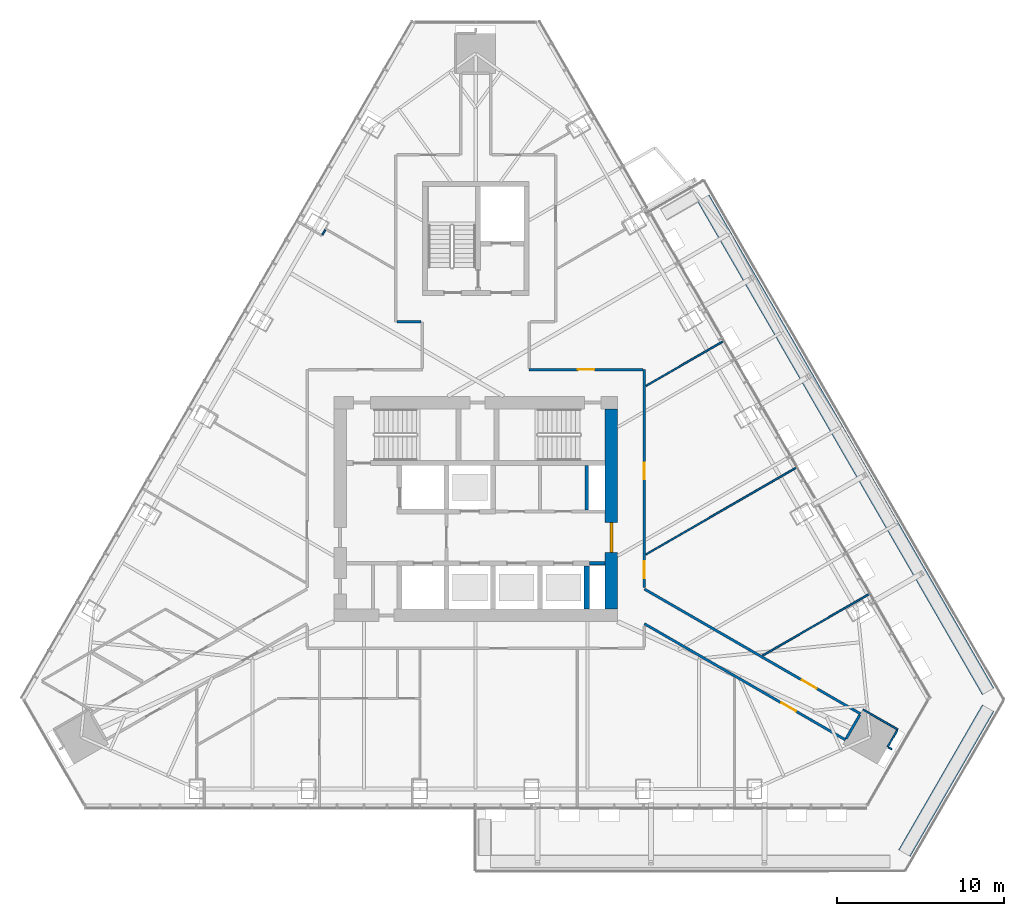
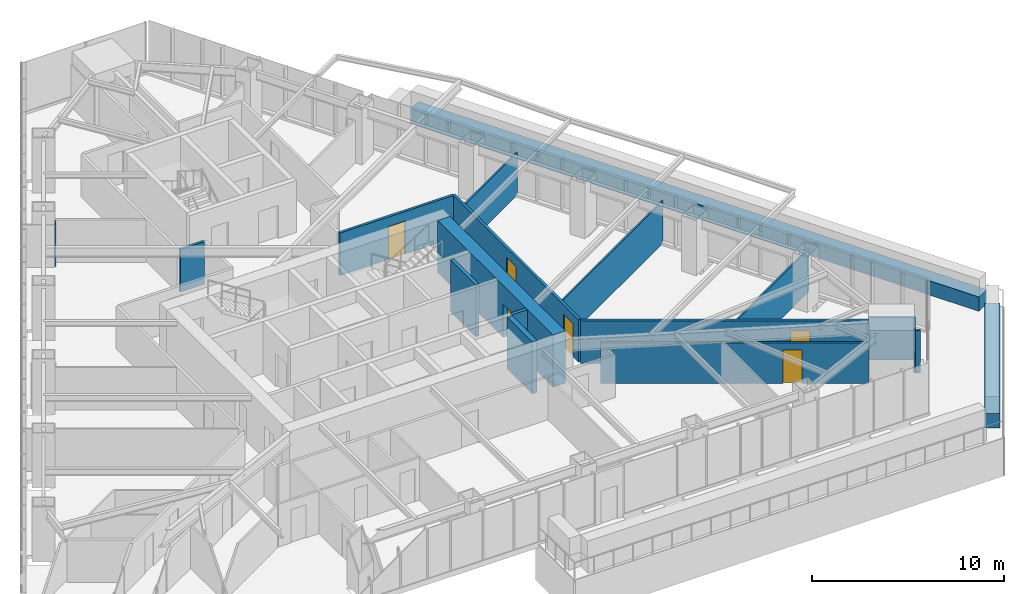
# One storey, part 12 of 17: 19 walls, 6 doors, 6 openings.
"""IFC4 building model written with IfcOpenShell, lengths in metres."""

import ifcopenshell
import ifcopenshell.guid

model = None  # the IFC model being written
_history = None  # IfcOwnerHistory: only IFC2X3 demands one
_inside = {}  # id of a spatial element -> (the spatial element, [elements in it])
_under = {}  # id of a project, library or spatial element -> (it, [spatial elements below it])
_declared = {}  # id of a project -> (the project, [libraries it declares])
_typed = {}  # id of a type object -> (the type object, [elements of that type])
_made_of = {}  # id of a material, layer set ... -> (it, [elements and type objects made of it])


def new_model(schema):
    """Start an empty IFC model of exactly this schema.

    Asked for "IFC4X3", IfcOpenShell would pick the latest addendum, in which some entities
    have other attributes; the version numbers below select the first issue.
    IFC2X3 requires an IfcOwnerHistory on every rooted entity: one is made here for all.
    """
    global model, _history
    if schema == "IFC4X3":
        model = ifcopenshell.file(schema_version=(4, 3, 0, 0))
    else:
        model = ifcopenshell.file(schema=schema)
    _inside.clear()
    _under.clear()
    _declared.clear()
    _typed.clear()
    _made_of.clear()
    _history = None
    if model.schema == "IFC2X3":
        org = make("IfcOrganization", Name="unknown")
        user = make(
            "IfcPersonAndOrganization",
            ThePerson=make("IfcPerson", FamilyName="unknown"),
            TheOrganization=org,
        )
        app = make(
            "IfcApplication",
            ApplicationDeveloper=org,
            Version="unknown",
            ApplicationFullName="unknown",
            ApplicationIdentifier="unknown",
        )
        _history = make(
            "IfcOwnerHistory",
            OwningUser=user,
            OwningApplication=app,
            ChangeAction="ADDED",
            CreationDate=0,
        )
    return model


def make(cls, **values):
    """One entity of the class cls with the attributes given. An attribute that is None is left unset."""
    return model.create_entity(
        cls, **{name: value for name, value in values.items() if value is not None}
    )


def rooted(cls, **values):
    """An entity with a GlobalId (a new one), such as an element, a storey or a relation."""
    return make(cls, GlobalId=ifcopenshell.guid.new(), OwnerHistory=_history, **values)


def si_unit(unit_type, name, prefix=None):
    """IfcSIUnit, for example si_unit("LENGTHUNIT", "METRE", prefix="MILLI")."""
    return make("IfcSIUnit", UnitType=unit_type, Prefix=prefix, Name=name)


def assignment(units):
    """IfcUnitAssignment: the units of a project."""
    return None if units is None else make("IfcUnitAssignment", Units=units)


def point(xyz):
    """IfcCartesianPoint."""
    return None if xyz is None else make("IfcCartesianPoint", Coordinates=xyz)


def direction(xyz):
    """IfcDirection."""
    return None if xyz is None else make("IfcDirection", DirectionRatios=xyz)


def frame(location, z_axis=None, x_axis=None):
    """IfcAxis2Placement3D, a coordinate frame: its origin and axes. An axis left out is left unset."""
    return make(
        "IfcAxis2Placement3D",
        Location=point(location),
        Axis=direction(z_axis),
        RefDirection=direction(x_axis),
    )


def frame_2d(location, x_axis=None):
    """IfcAxis2Placement2D, a coordinate frame in the plane: its origin and x axis."""
    return make(
        "IfcAxis2Placement2D", Location=point(location), RefDirection=direction(x_axis)
    )


def origin():
    """The frame at (0, 0, 0) with its axes left unset."""
    return frame((0.0, 0.0, 0.0))


def place(relative_to, where):
    """IfcLocalPlacement: puts the frame where relative to a parent placement (None: the world)."""
    return make(
        "IfcLocalPlacement", PlacementRelTo=relative_to, RelativePlacement=where
    )


def context(
    kind, dimensions, precision=None, world=None, true_north=None, identifier=None
):
    """IfcGeometricRepresentationContext, for example the 3D "Model" context."""
    return make(
        "IfcGeometricRepresentationContext",
        ContextIdentifier=identifier,
        ContextType=kind,
        CoordinateSpaceDimension=dimensions,
        Precision=precision,
        WorldCoordinateSystem=world,
        TrueNorth=true_north,
    )


def subcontext(parent, identifier, kind, view, scale=None):
    """IfcGeometricRepresentationSubContext, for example "Body" below "Model"."""
    return make(
        "IfcGeometricRepresentationSubContext",
        ContextIdentifier=identifier,
        ContextType=kind,
        ParentContext=parent,
        TargetScale=scale,
        TargetView=view,
    )


def project(units=None, contexts=None):
    """IfcProject with its units and contexts."""
    return rooted(
        "IfcProject",
        Name="project",
        RepresentationContexts=contexts,
        UnitsInContext=assignment(units),
    )


def spatial(cls, under=None, at=None, **own):
    """A site, building, storey or space (cls), placed at a placement, below another one or the project."""
    s = rooted(cls, ObjectPlacement=at, **own)
    if under is not None:
        _under.setdefault(under.id(), (under, []))[1].append(s)
    return s


def profile(cls, at=None, kind="AREA", **sizes):
    """A parametric profile (cls). Its sizes go by their IFC names, for example OverallWidth=200.0."""
    return make(cls, ProfileType=kind, Position=at, **sizes)


def rectangle(**sizes):
    """IfcRectangleProfileDef."""
    return profile("IfcRectangleProfileDef", **sizes)


def extrude(swept, where, along, depth):
    """IfcExtrudedAreaSolid: the profile swept, set in the frame where, extruded along a direction by depth."""
    return make(
        "IfcExtrudedAreaSolid",
        SweptArea=swept,
        Position=where,
        ExtrudedDirection=direction(along),
        Depth=depth,
    )


def shape(context_of_items, identifier, shape_type, items):
    """IfcShapeRepresentation: the items that make up one representation, for example the "Body"."""
    return make(
        "IfcShapeRepresentation",
        ContextOfItems=context_of_items,
        RepresentationIdentifier=identifier,
        RepresentationType=shape_type,
        Items=items,
    )


def material(Name=None, Category=None):
    """IfcMaterial."""
    return make("IfcMaterial", Name=Name, Category=Category)


def layer(
    of_material, thickness, ventilated=None, Name=None, Category=None, Priority=None
):
    """IfcMaterialLayer: one layer of a wall or slab, of a material (None: an air gap)."""
    return make(
        "IfcMaterialLayer",
        Material=of_material,
        LayerThickness=thickness,
        IsVentilated=ventilated,
        Name=Name,
        Category=Category,
        Priority=Priority,
    )


def layer_set(layers, Name=None):
    """IfcMaterialLayerSet."""
    return make("IfcMaterialLayerSet", MaterialLayers=layers, LayerSetName=Name)


def made_of(thing, what):
    """Note that an element or type object is made of a material, layer set ...; save() writes the relation."""
    if what is not None:
        _made_of.setdefault(what.id(), (what, []))[1].append(thing)
    return thing


def type_object(cls, material=None, **own):
    """A type object (cls), such as IfcWallType, which elements share."""
    return made_of(rooted(cls, **own), material)


def element(
    cls,
    number,
    at=None,
    inside=None,
    cuts=None,
    type_object=None,
    material=None,
    context=None,
    identifier="Body",
    shape_type=None,
    held_by="IfcProductDefinitionShape",
    body=None,
    shapes=None,
    **own,
):
    """One element of the class cls, such as IfcWall. Its Tag is "e" and its number.

    at: its placement. inside: the storey or other place that contains it. cuts: it is an
    opening in that element (IfcRelVoidsElement). A single representation is given by context,
    identifier, shape_type and body (its items); several are given by shapes. held_by: the class
    of the entity that holds the representations. save() writes the other relations.
    """
    e = rooted(cls, Tag="e%d" % number, ObjectPlacement=at, **own)
    if body is not None:
        shapes = [shape(context, identifier, shape_type, body)]
    if shapes is not None:
        e.Representation = make(held_by, Representations=shapes)
    if inside is not None:
        _inside.setdefault(inside.id(), (inside, []))[1].append(e)
    if cuts is not None:
        rooted(
            "IfcRelVoidsElement", RelatingBuildingElement=cuts, RelatedOpeningElement=e
        )
    if type_object is not None:
        _typed.setdefault(type_object.id(), (type_object, []))[1].append(e)
    return made_of(e, material)


def fill(opening, filler):
    """IfcRelFillsElement: the door or window that sits in an opening."""
    return rooted(
        "IfcRelFillsElement",
        RelatingOpeningElement=opening,
        RelatedBuildingElement=filler,
    )


def aggregate(whole, parts):
    """IfcRelAggregates: a whole, such as a stair, and the parts it consists of."""
    return rooted("IfcRelAggregates", RelatingObject=whole, RelatedObjects=parts)


def save(model, path):
    """Write the relations noted so far, then the file.

    IfcRelAggregates (storeys below a building ...), IfcRelContainedInSpatialStructure (elements
    in a storey), IfcRelDefinesByType, IfcRelAssociatesMaterial and IfcRelDeclares: one each for
    every whole, place, type object, material and project.
    """
    for whole, parts in _under.values():
        aggregate(whole, parts)
    for where, things in _inside.values():
        rooted(
            "IfcRelContainedInSpatialStructure",
            RelatedElements=things,
            RelatingStructure=where,
        )
    for kind, things in _typed.values():
        rooted("IfcRelDefinesByType", RelatedObjects=things, RelatingType=kind)
    for what, things in _made_of.values():
        rooted("IfcRelAssociatesMaterial", RelatedObjects=things, RelatingMaterial=what)
    for by, libraries in _declared.values():
        rooted("IfcRelDeclares", RelatingContext=by, RelatedDefinitions=libraries)
    model.write(path)


model = new_model("IFC4")

# Units and contexts
model_context = context("Model", 3, precision=1e-05, world=origin(), true_north=direction((0.0, 1.0)))
body_context = subcontext(model_context, "Body", "Model", "MODEL_VIEW")
ifc_project = project(units=[si_unit("LENGTHUNIT", "METRE"), si_unit("AREAUNIT", "SQUARE_METRE"), si_unit("VOLUMEUNIT", "CUBIC_METRE"), si_unit("PLANEANGLEUNIT", "RADIAN"), si_unit("MASSUNIT", "GRAM", prefix="KILO")], contexts=[model_context])

# Site, building, storey
site_placement = place(None, origin())
site = spatial("IfcSite", under=ifc_project, at=site_placement, CompositionType="ELEMENT")
building_placement = place(site_placement, origin())
building = spatial("IfcBuilding", under=site, at=building_placement, Name="Firuza Gate Tower and Library", CompositionType="ELEMENT")
storey_placement = place(building_placement, frame((0.0, 0.0, 263.60009765625)))
storey = spatial("IfcBuildingStorey", under=building, at=storey_placement, Name="L62", CompositionType="ELEMENT", Elevation=263.60009765625)

# Walls
ifc_material_1 = material(Name="Plasterboard on steel studs", Category="steel")
ifc_layer_1 = layer(ifc_material_1, 0.199951171875)
ifc_layer_set_1 = layer_set([ifc_layer_1], Name="Core partition 200 EI 120")
wall_type_1 = type_object("IfcWallType", Name="Core partition 200 EI 120", PredefinedType="PARTITIONING", material=ifc_layer_set_1)
wall_1_placement = place(storey_placement, frame((81.800048828125, 71.75, 0.0), z_axis=(0.0, 0.0, 1.0), x_axis=(1.0, 0.0, 0.0)))
element("IfcWall", 1, at=wall_1_placement, inside=storey, type_object=wall_type_1, Name="Core partition L62 2", PredefinedType="PARTITIONING", context=body_context, shape_type="SweptSolid", body=[
    extrude(rectangle(XDim=0.949951171875, YDim=0.199951171875, at=frame_2d((0.47509765625, 0.0))), origin(), (0.0, 0.0, 1.0), 3.2998046875),
])
wall_2_placement = place(storey_placement, frame((81.64990234375, 74.949951171875, 0.0), z_axis=(0.0, 0.0, 1.0), x_axis=(0.0, 1.0, 0.0)))
element("IfcWall", 2, at=wall_2_placement, inside=storey, type_object=wall_type_1, Name="Core partition L62 7", PredefinedType="PARTITIONING", context=body_context, shape_type="SweptSolid", body=[
    extrude(rectangle(XDim=2.650146484375, YDim=0.199951171875, at=frame_2d((1.3251953125, 0.0))), origin(), (0.0, 0.0, 1.0), 3.2998046875),
])
ifc_material_2 = material(Name="Concrete C60/75", Category="concrete")
ifc_layer_2 = layer(ifc_material_2, 0.300048828125)
ifc_layer_set_2 = layer_set([ifc_layer_2], Name="Core wall 300 C60/75")
wall_type_2 = type_object("IfcWallType", Name="Core wall 300 C60/75", PredefinedType="SHEAR", material=ifc_layer_set_2)
wall_3_placement = place(storey_placement, frame((81.64990234375, 69.0, 0.0), z_axis=(0.0, 0.0, 1.0), x_axis=(0.0, 1.0, 0.0)))
element("IfcWall", 3, at=wall_3_placement, inside=storey, type_object=wall_type_2, Name="Core wall L62 14", PredefinedType="SHEAR", context=body_context, shape_type="SweptSolid", body=[
    extrude(rectangle(XDim=2.60009765625, YDim=0.300048828125, at=frame_2d((1.300048828125, 0.0))), origin(), (0.0, 0.0, 1.0), 3.2998046875),
])

# Wall, opening, door
ifc_material_3 = material(Name="Concrete C60/75", Category="concrete")
ifc_layer_3 = layer(ifc_material_3, 0.75)
ifc_layer_set_3 = layer_set([ifc_layer_3], Name="Core wall 750 C60/75")
wall_type_3 = type_object("IfcWallType", Name="Core wall 750 C60/75", PredefinedType="SHEAR", material=ifc_layer_set_3)
wall_4_placement = place(storey_placement, frame((83.125, 69.0, 0.0), z_axis=(0.0, 0.0, 1.0), x_axis=(0.0, 1.0, 0.0)))
wall_4 = element("IfcWall", 4, at=wall_4_placement, inside=storey, type_object=wall_type_3, Name="Core wall L62 4", PredefinedType="SHEAR", context=body_context, shape_type="SweptSolid", body=[
    extrude(rectangle(XDim=12.0, YDim=0.75, at=frame_2d((6.0, 0.0))), origin(), (0.0, 0.0, 1.0), 3.2998046875),
])
opening_1_placement = place(wall_4_placement, frame((3.39990234375, 0.0, 0.0)))
opening_1 = element("IfcOpeningElement", 5, at=opening_1_placement, cuts=wall_4, Name="Opening L62-K16", PredefinedType="OPENING", context=body_context, shape_type="SweptSolid", body=[
    extrude(rectangle(XDim=1.800048828125, YDim=2.10009765625, at=frame_2d((0.89990234375, 1.050048828125))), frame((0.0, 0.385009765625, 0.0), z_axis=(0.0, -1.0, 0.0), x_axis=(1.0, 0.0, 0.0)), (0.0, 0.0, 1.0), 0.77001953125),
])
ifc_material_4 = material(Name="Steel", Category="steel")
door_type_1 = type_object("IfcDoorType", Name="Fire door 1800x2100 FD30S", OperationType="NOTDEFINED", PredefinedType="DOOR", material=ifc_material_4)
door_1_placement = place(opening_1_placement, origin())
door_1 = element("IfcDoor", 6, at=door_1_placement, inside=storey, type_object=door_type_1, Name="Door L62-K16", OperationType="SINGLE_SWING_LEFT", OverallHeight=2.10009765625, OverallWidth=1.800048828125, PredefinedType="DOOR", context=body_context, shape_type="SweptSolid", body=[
    extrude(rectangle(XDim=1.800048828125, YDim=2.10009765625, at=frame_2d((0.89990234375, 1.050048828125))), frame((0.0, 0.094970703125, 0.0), z_axis=(0.0, -1.0, 0.0), x_axis=(1.0, 0.0, 0.0)), (0.0, 0.0, 1.0), 0.18994140625),
])
fill(opening_1, door_1)

ifc_material_5 = material(Name="Gypsum board partition")
ifc_layer_4 = layer(ifc_material_5, 0.14990234375)
ifc_layer_set_4 = layer_set([ifc_layer_4], Name="Corridor wall 150 double board on steel studs")
wall_type_4 = type_object("IfcWallType", Name="Corridor wall 150 double board on steel studs", PredefinedType="PARTITIONING", material=ifc_layer_set_4)
wall_5_placement = place(storey_placement, frame((78.199951171875, 83.35009765625, 0.0), z_axis=(0.0, 0.0, 1.0), x_axis=(1.0, 0.0, 0.0)))
wall_5 = element("IfcWall", 7, at=wall_5_placement, inside=storey, type_object=wall_type_4, Name="f:L62:w005", PredefinedType="PARTITIONING", context=body_context, shape_type="SweptSolid", body=[
    extrude(rectangle(XDim=6.824462890625, YDim=0.14990234375, at=frame_2d((3.412109375, 0.0))), origin(), (0.0, 0.0, 1.0), 2.699951171875),
])
opening_2_placement = place(wall_5_placement, frame((2.912353515625, 0.0, 0.0)))
opening_2 = element("IfcOpeningElement", 8, at=opening_2_placement, cuts=wall_5, Name="Opening L62-05", PredefinedType="OPENING", context=body_context, shape_type="SweptSolid", body=[
    extrude(rectangle(XDim=1.0, YDim=2.10009765625, at=frame_2d((0.5, 1.050048828125))), frame((0.0, 0.0849609375, 0.0), z_axis=(0.0, -1.0, 0.0), x_axis=(1.0, 0.0, 0.0)), (0.0, 0.0, 1.0), 0.169921875),
])
ifc_material_6 = material(Name="Steel door and timber leaf", Category="steel")
door_type_2 = type_object("IfcDoorType", Name="Fire door 1000 x 2100 steel frame, timber leaf", OperationType="NOTDEFINED", PredefinedType="DOOR", material=ifc_material_6)
door_2_placement = place(opening_2_placement, origin())
door_2 = element("IfcDoor", 9, at=door_2_placement, inside=storey, type_object=door_type_2, Name="f:L62:d005", OperationType="SINGLE_SWING_LEFT", OverallHeight=2.10009765625, OverallWidth=1.0, PredefinedType="DOOR", context=body_context, shape_type="SweptSolid", body=[
    extrude(rectangle(XDim=1.0, YDim=2.10009765625, at=frame_2d((0.5, 1.050048828125))), frame((0.0, 0.02490234375, 0.0), z_axis=(0.0, -1.0, 0.0), x_axis=(1.0, 0.0, 0.0)), (0.0, 0.0, 1.0), 0.050048828125),
])
fill(opening_2, door_2)

# Walls
wall_6_placement = place(storey_placement, frame((70.277099609375, 86.199951171875, 0.0), z_axis=(0.0, 0.0, 1.0), x_axis=(1.0, 0.0, 0.0)))
element("IfcWall", 10, at=wall_6_placement, inside=storey, type_object=wall_type_4, Name="f:L62:w006", PredefinedType="PARTITIONING", context=body_context, shape_type="SweptSolid", body=[
    extrude(rectangle(XDim=1.44775390625, YDim=0.14990234375, at=frame_2d((0.723876953125, 0.0))), origin(), (0.0, 0.0, 1.0), 2.699951171875),
])
wall_7_placement = place(storey_placement, frame((97.178955078125, 61.242919921875, 0.0), z_axis=(0.0, 0.0, 1.0), x_axis=(0.499988108725, 0.866032269107, 0.0)))
element("IfcWall", 11, at=wall_7_placement, inside=storey, type_object=wall_type_4, Name="f:L62:w026", PredefinedType="PARTITIONING", context=body_context, shape_type="SweptSolid", body=[
    extrude(rectangle(XDim=1.64404296875, YDim=0.14990234375, at=frame_2d((0.822021484375, 0.0))), origin(), (0.0, 0.0, 1.0), 2.546875),
])

# Wall, openings, doors
wall_8_placement = place(storey_placement, frame((85.10009765625, 83.349609375, 0.0), z_axis=(0.0, 0.0, 1.0), x_axis=(0.0, -1.0, 0.0)))
wall_8 = element("IfcWall", 12, at=wall_8_placement, inside=storey, type_object=wall_type_4, Name="f:L62:w032", PredefinedType="PARTITIONING", context=body_context, shape_type="SweptSolid", body=[
    extrude(rectangle(XDim=13.054931640625, YDim=0.14990234375, at=frame_2d((6.52734375, 0.0))), origin(), (0.0, 0.0, 1.0), 2.699951171875),
])
opening_3_placement = place(wall_8_placement, frame((5.57861328125, 0.0, 0.0)))
opening_3 = element("IfcOpeningElement", 13, at=opening_3_placement, cuts=wall_8, Name="Opening L62-14", PredefinedType="OPENING", context=body_context, shape_type="SweptSolid", body=[
    extrude(rectangle(XDim=1.0, YDim=2.10009765625, at=frame_2d((0.5, 1.050048828125))), frame((0.0, 0.0849609375, 0.0), z_axis=(0.0, -1.0, 0.0), x_axis=(1.0, 0.0, 0.0)), (0.0, 0.0, 1.0), 0.169921875),
])
opening_4_placement = place(wall_8_placement, frame((11.48779296875, 0.0, 0.0)))
opening_4 = element("IfcOpeningElement", 14, at=opening_4_placement, cuts=wall_8, Name="Opening L62-15", PredefinedType="OPENING", context=body_context, shape_type="SweptSolid", body=[
    extrude(rectangle(XDim=1.0, YDim=2.10009765625, at=frame_2d((0.5, 1.050048828125))), frame((0.0, 0.0849609375, 0.0), z_axis=(0.0, -1.0, 0.0), x_axis=(1.0, 0.0, 0.0)), (0.0, 0.0, 1.0), 0.169921875),
])
door_3_placement = place(opening_3_placement, origin())
door_3 = element("IfcDoor", 15, at=door_3_placement, inside=storey, type_object=door_type_2, Name="f:L62:d014", OperationType="SINGLE_SWING_LEFT", OverallHeight=2.10009765625, OverallWidth=1.0, PredefinedType="DOOR", context=body_context, shape_type="SweptSolid", body=[
    extrude(rectangle(XDim=1.0, YDim=2.10009765625, at=frame_2d((0.5, 1.050048828125))), frame((0.0, 0.02490234375, 0.0), z_axis=(0.0, -1.0, 0.0), x_axis=(1.0, 0.0, 0.0)), (0.0, 0.0, 1.0), 0.050048828125),
])
fill(opening_3, door_3)
door_4_placement = place(opening_4_placement, origin())
door_4 = element("IfcDoor", 16, at=door_4_placement, inside=storey, type_object=door_type_2, Name="f:L62:d015", OperationType="SINGLE_SWING_RIGHT", OverallHeight=2.10009765625, OverallWidth=1.0, PredefinedType="DOOR", context=body_context, shape_type="SweptSolid", body=[
    extrude(rectangle(XDim=1.0, YDim=2.10009765625, at=frame_2d((0.5, 1.050048828125))), frame((0.0, 0.02490234375, 0.0), z_axis=(0.0, -1.0, 0.0), x_axis=(1.0, 0.0, 0.0)), (0.0, 0.0, 1.0), 0.050048828125),
])
fill(opening_4, door_4)

# Wall, opening, door
wall_9_placement = place(storey_placement, frame((85.10009765625, 70.2080078125, 0.0), z_axis=(0.0, 0.0, 1.0), x_axis=(0.866022614424, -0.500004831283, 0.0)))
wall_9 = element("IfcWall", 17, at=wall_9_placement, inside=storey, type_object=wall_type_4, Name="f:L62:w057", PredefinedType="PARTITIONING", context=body_context, shape_type="SweptSolid", body=[
    extrude(rectangle(XDim=14.943115234375, YDim=0.14990234375, at=frame_2d((7.4716796875, 0.0))), origin(), (0.0, 0.0, 1.0), 2.699951171875),
])
opening_5_placement = place(wall_9_placement, frame((10.906494140625, 0.0, 0.0)))
opening_5 = element("IfcOpeningElement", 18, at=opening_5_placement, cuts=wall_9, Name="Opening L62-19", PredefinedType="OPENING", context=body_context, shape_type="SweptSolid", body=[
    extrude(rectangle(XDim=1.0, YDim=2.10009765625, at=frame_2d((0.5, 1.050048828125))), frame((0.0, 0.0849609375, 0.0), z_axis=(0.0, -1.0, 0.0), x_axis=(1.0, 0.0, 0.0)), (0.0, 0.0, 1.0), 0.169921875),
])
door_5_placement = place(opening_5_placement, origin())
door_5 = element("IfcDoor", 19, at=door_5_placement, inside=storey, type_object=door_type_2, Name="f:L62:d019", OperationType="SINGLE_SWING_LEFT", OverallHeight=2.10009765625, OverallWidth=1.0, PredefinedType="DOOR", context=body_context, shape_type="SweptSolid", body=[
    extrude(rectangle(XDim=1.0, YDim=2.10009765625, at=frame_2d((0.5, 1.050048828125))), frame((0.0, 0.02490234375, 0.0), z_axis=(0.0, -1.0, 0.0), x_axis=(1.0, 0.0, 0.0)), (0.0, 0.0, 1.0), 0.050048828125),
])
fill(opening_5, door_5)

wall_10_placement = place(storey_placement, frame((97.140869140625, 61.177734375, 0.0), z_axis=(0.0, 0.0, 1.0), x_axis=(-0.866020369651, 0.500008719273, 0.0)))
wall_10 = element("IfcWall", 20, at=wall_10_placement, inside=storey, type_object=wall_type_4, Name="f:L62:w059", PredefinedType="PARTITIONING", context=body_context, shape_type="SweptSolid", body=[
    extrude(rectangle(XDim=13.903564453125, YDim=0.14990234375, at=frame_2d((6.95166015625, 0.0))), origin(), (0.0, 0.0, 1.0), 2.546875),
])
opening_6_placement = place(wall_10_placement, frame((3.43212890625, 0.0, 0.0)))
opening_6 = element("IfcOpeningElement", 21, at=opening_6_placement, cuts=wall_10, Name="Opening L62-20", PredefinedType="OPENING", context=body_context, shape_type="SweptSolid", body=[
    extrude(rectangle(XDim=1.0, YDim=2.10009765625, at=frame_2d((0.5, 1.050048828125))), frame((0.0, 0.0849609375, 0.0), z_axis=(0.0, -1.0, 0.0), x_axis=(1.0, 0.0, 0.0)), (0.0, 0.0, 1.0), 0.169921875),
])
door_6_placement = place(opening_6_placement, origin())
door_6 = element("IfcDoor", 22, at=door_6_placement, inside=storey, type_object=door_type_2, Name="f:L62:d020", OperationType="SINGLE_SWING_LEFT", OverallHeight=2.10009765625, OverallWidth=1.0, PredefinedType="DOOR", context=body_context, shape_type="SweptSolid", body=[
    extrude(rectangle(XDim=1.0, YDim=2.10009765625, at=frame_2d((0.5, 1.050048828125))), frame((0.0, 0.02490234375, 0.0), z_axis=(0.0, -1.0, 0.0), x_axis=(1.0, 0.0, 0.0)), (0.0, 0.0, 1.0), 0.050048828125),
])
fill(opening_6, door_6)

# Walls
ifc_material_7 = material(Name="Gypsum board partition")
ifc_layer_5 = layer(ifc_material_7, 0.10009765625)
ifc_layer_set_5 = layer_set([ifc_layer_5], Name="Partition 100 gypsum board on steel studs")
wall_type_5 = type_object("IfcWallType", Name="Partition 100 gypsum board on steel studs", PredefinedType="PARTITIONING", material=ifc_layer_set_5)
wall_11_placement = place(storey_placement, frame((92.19189453125, 66.230224609375, 0.0), z_axis=(0.0, 0.0, 1.0), x_axis=(0.866026984066, 0.499997262862, 0.0)))
element("IfcWall", 23, at=wall_11_placement, inside=storey, type_object=wall_type_5, Name="f:L62:w012", PredefinedType="PARTITIONING", context=body_context, shape_type="SweptSolid", body=[
    extrude(rectangle(XDim=7.35693359375, YDim=0.10009765625, at=frame_2d((3.678466796875, 0.0))), origin(), (0.0, 0.0, 1.0), 2.68798828125),
])
wall_12_placement = place(storey_placement, frame((85.201171875, 72.28369140625, 0.0), z_axis=(0.0, 0.0, 1.0), x_axis=(0.866018018137, 0.500012792098, 0.0)))
element("IfcWall", 24, at=wall_12_placement, inside=storey, type_object=wall_type_5, Name="f:L62:w013", PredefinedType="PARTITIONING", context=body_context, shape_type="SweptSolid", body=[
    extrude(rectangle(XDim=10.384521484375, YDim=0.10009765625, at=frame_2d((5.1923828125, 0.0))), origin(), (0.0, 0.0, 1.0), 2.68798828125),
])
wall_13_placement = place(storey_placement, frame((85.20068359375, 82.37451171875, 0.0), z_axis=(0.0, 0.0, 1.0), x_axis=(0.866025682925, 0.499999516514, 0.0)))
element("IfcWall", 25, at=wall_13_placement, inside=storey, type_object=wall_type_5, Name="f:L62:w019", PredefinedType="PARTITIONING", context=body_context, shape_type="SweptSolid", body=[
    extrude(rectangle(XDim=5.33935546875, YDim=0.10009765625, at=frame_2d((2.669677734375, 0.0))), origin(), (0.0, 0.0, 1.0), 2.68798828125),
])
wall_14_placement = place(storey_placement, frame((99.669677734375, 60.757080078125, 0.0), z_axis=(0.0, 0.0, 1.0), x_axis=(0.500022773673, 0.866012254999, 0.0)))
element("IfcWall", 26, at=wall_14_placement, inside=storey, type_object=wall_type_5, Name="f:L62:w025", PredefinedType="PARTITIONING", context=body_context, shape_type="SweptSolid", body=[
    extrude(rectangle(XDim=1.1494140625, YDim=0.10009765625, at=frame_2d((0.57470703125, 0.0))), origin(), (0.0, 0.0, 1.0), 2.699951171875),
])
wall_15_placement = place(storey_placement, frame((65.817138671875, 91.416748046875, 0.0), z_axis=(0.0, 0.0, 1.0), x_axis=(0.499985493453, 0.866033778982, 0.0)))
element("IfcWall", 27, at=wall_15_placement, inside=storey, type_object=wall_type_5, Name="f:L62:w028", PredefinedType="PARTITIONING", context=body_context, shape_type="SweptSolid", body=[
    extrude(rectangle(XDim=0.34814453125, YDim=0.10009765625, at=frame_2d((0.174072265625, 0.0))), origin(), (0.0, 0.0, 1.0), 2.699951171875),
])
wall_16_placement = place(storey_placement, frame((100.269287109375, 61.79638671875, 0.0), z_axis=(0.0, 0.0, 1.0), x_axis=(-0.865992388649, 0.500057179532, 0.0)))
element("IfcWall", 28, at=wall_16_placement, inside=storey, type_object=wall_type_5, Name="f:L62:w056", PredefinedType="PARTITIONING", context=body_context, shape_type="SweptSolid", body=[
    extrude(rectangle(XDim=2.399169921875, YDim=0.10009765625, at=frame_2d((1.19970703125, 0.0))), origin(), (0.0, 0.0, 1.0), 2.699951171875),
])
wall_17_placement = place(storey_placement, frame((99.929443359375, 60.60693359375, 0.0), z_axis=(0.0, 0.0, 1.0), x_axis=(-0.865827443207, 0.500342721131, 0.0)))
element("IfcWall", 29, at=wall_17_placement, inside=storey, type_object=wall_type_5, Name="f:L62:w058", PredefinedType="PARTITIONING", context=body_context, shape_type="SweptSolid", body=[
    extrude(rectangle(XDim=0.249755859375, YDim=0.10009765625, at=frame_2d((0.125, 0.0))), origin(), (0.0, 0.0, 1.0), 2.699951171875),
])
ifc_material_8 = material(Name="Concrete C40/50", Category="concrete")
ifc_layer_6 = layer(ifc_material_8, 0.800048828125)
ifc_layer_set_6 = layer_set([ifc_layer_6], Name="Planter wall 800")
wall_type_6 = type_object("IfcWallType", Name="Planter wall 800", PredefinedType="SOLIDWALL", material=ifc_layer_set_6)
wall_18_placement = place(storey_placement, frame((100.67236328125, 54.3935546875, 0.0), z_axis=(0.0, 0.0, 1.0), x_axis=(0.499999477917, 0.866025705209, 0.0)))
element("IfcWall", 30, at=wall_18_placement, inside=storey, type_object=wall_type_6, Name="PLANTER L62 3", PredefinedType="SOLIDWALL", context=body_context, shape_type="SweptSolid", body=[
    extrude(rectangle(XDim=10.01904296875, YDim=0.800048828125, at=frame_2d((5.009521484375, 0.0))), origin(), (0.0, 0.0, 1.0), 0.89990234375),
])
wall_19_placement = place(storey_placement, frame((105.681884765625, 64.0791015625, 0.0), z_axis=(0.0, 0.0, 1.0), x_axis=(-0.499999726341, 0.866025561782, 0.0)))
element("IfcWall", 31, at=wall_19_placement, inside=storey, type_object=wall_type_6, Name="PLANTER L62 4", PredefinedType="SOLIDWALL", context=body_context, shape_type="SweptSolid", body=[
    extrude(rectangle(XDim=34.09521484375, YDim=0.800048828125, at=frame_2d((17.047607421875, 0.0))), origin(), (0.0, 0.0, 1.0), 0.89990234375),
])

save(model, "model.ifc")
